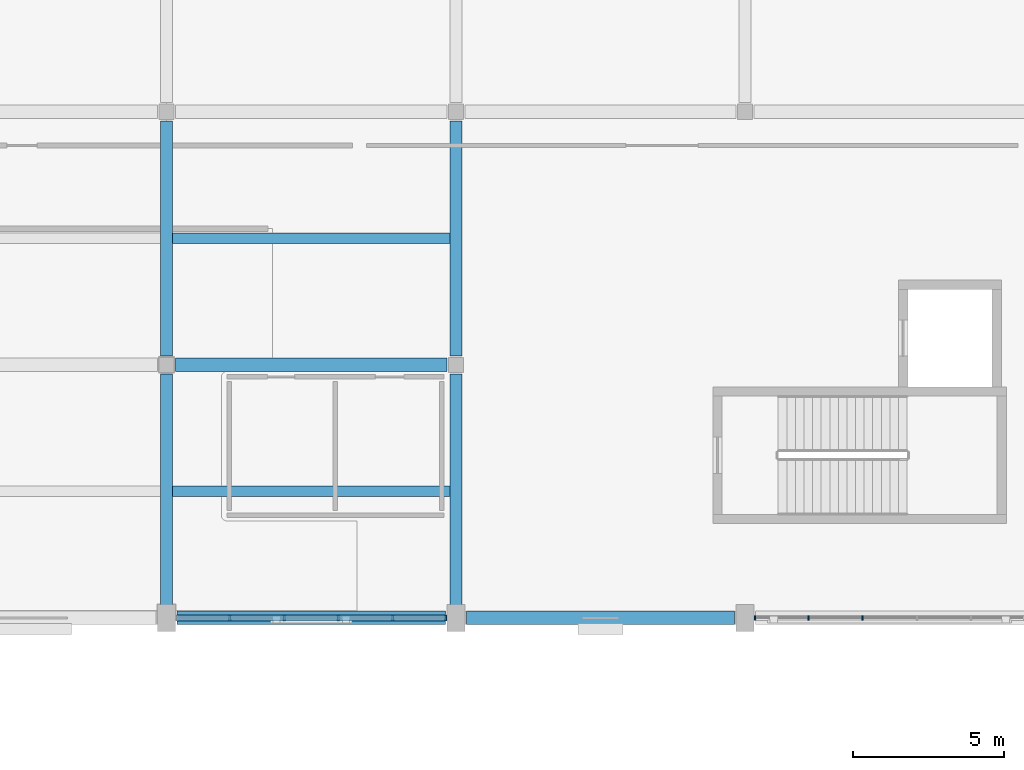
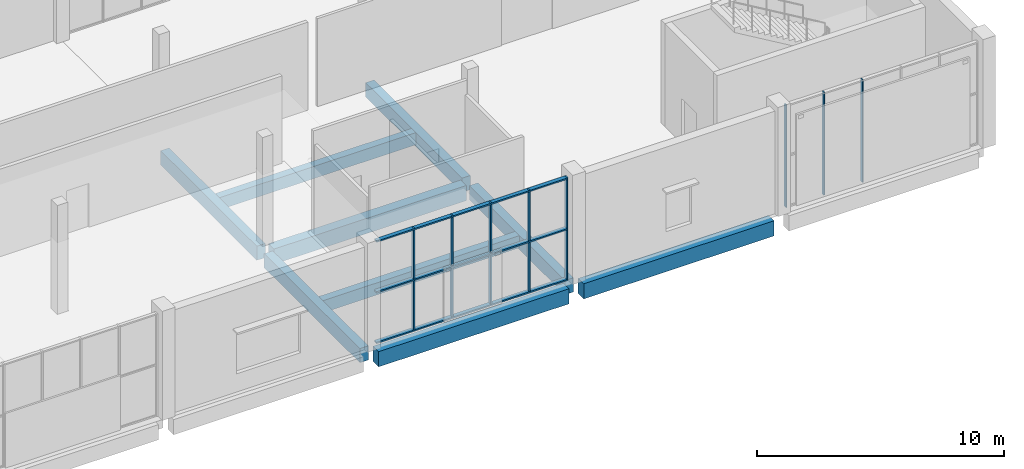
# One storey, part 33 of 83: 11 members, 9 beams, 2 elements without a shape of their own.
"""IFC4 building model written with IfcOpenShell, lengths in metres."""

from ifc_helpers import new_model, si_unit, direction, frame, origin, origin_2d, place, context, subcontext, project, spatial, rectangle, extrude, material, material_profile, profile_set, type_object, element, aggregate, save


model = new_model("IFC4")

# Units and contexts
model_context = context("Model", 3, precision=1e-05, world=origin(), true_north=direction((0.0, 1.0)))
body_context = subcontext(model_context, "Body", "Model", "MODEL_VIEW")
ifc_project = project(units=[si_unit("LENGTHUNIT", "METRE"), si_unit("AREAUNIT", "SQUARE_METRE"), si_unit("VOLUMEUNIT", "CUBIC_METRE"), si_unit("PLANEANGLEUNIT", "RADIAN"), si_unit("MASSUNIT", "GRAM", prefix="KILO")], contexts=[model_context])

# Site, building, storey
site_placement = place(None, origin())
site = spatial("IfcSite", under=ifc_project, at=site_placement, CompositionType="ELEMENT")
building_placement = place(site_placement, origin())
building = spatial("IfcBuilding", under=site, at=building_placement, Name="Shalvenor Court Art Gallery", CompositionType="ELEMENT")
storey_placement = place(building_placement, frame((0.0, 0.0, 6.0)))
storey = spatial("IfcBuildingStorey", under=building, at=storey_placement, Name="L01", CompositionType="ELEMENT", Elevation=6.0)

# Beams
ifc_material_1 = material(Name="Concrete C40/50", Category="concrete")
ifc_material_profile_1 = material_profile(ifc_material_1, rectangle(XDim=0.449951171875, YDim=0.75, at=origin_2d()), Name="RC 450x750")
ifc_profile_set_1 = profile_set([ifc_material_profile_1], Name="Concrete C40/50")
beam_type_1 = type_object("IfcBeamType", Name="B-04", PredefinedType="BEAM", material=ifc_profile_set_1)
beam_1_placement = place(storey_placement, frame((96.35009765625, 97.199951171875, -0.695068359375), z_axis=(1.0, 0.0, 0.0), x_axis=(0.0, 1.0, 0.0)))
element("IfcBeam", 1, at=beam_1_placement, inside=storey, type_object=beam_type_1, Name="L01 Girder BM-L01-B-04-0587", PredefinedType="BEAM", context=body_context, shape_type="SweptSolid", body=[
    extrude(rectangle(XDim=0.449951171875, YDim=0.75, at=origin_2d()), origin(), (0.0, 0.0, 1.0), 8.89990234375),
])
beam_2_placement = place(storey_placement, frame((105.949951171875, 97.199951171875, -0.695068359375), z_axis=(1.0, 0.0, 0.0), x_axis=(0.0, 1.0, 0.0)))
element("IfcBeam", 2, at=beam_2_placement, inside=storey, type_object=beam_type_1, Name="L01 Girder BM-L01-B-04-0588", PredefinedType="BEAM", context=body_context, shape_type="SweptSolid", body=[
    extrude(rectangle(XDim=0.449951171875, YDim=0.75, at=origin_2d()), origin(), (0.0, 0.0, 1.0), 8.900146484375),
])
beam_3_placement = place(storey_placement, frame((96.300048828125, 105.60009765625, -0.695068359375), z_axis=(1.0, 0.0, 0.0), x_axis=(0.0, 1.0, 0.0)))
element("IfcBeam", 3, at=beam_3_placement, inside=storey, type_object=beam_type_1, Name="L01 Girder BM-L01-B-04-0603", PredefinedType="BEAM", context=body_context, shape_type="SweptSolid", body=[
    extrude(rectangle(XDim=0.449951171875, YDim=0.75, at=origin_2d()), origin(), (0.0, 0.0, 1.0), 9.0),
])
ifc_material_2 = material(Name="Concrete C40/50", Category="concrete")
ifc_material_profile_2 = material_profile(ifc_material_2, rectangle(XDim=0.39990234375, YDim=0.699951171875, at=origin_2d()), Name="RC 400x700")
ifc_profile_set_2 = profile_set([ifc_material_profile_2], Name="Concrete C40/50")
beam_type_2 = type_object("IfcBeamType", Name="B-05", PredefinedType="BEAM", material=ifc_profile_set_2)
beam_4_placement = place(storey_placement, frame((96.0, 97.550048828125, -0.669921875), z_axis=(0.0, 1.0, 0.0), x_axis=(-1.0, 0.0, 0.0)))
element("IfcBeam", 4, at=beam_4_placement, inside=storey, type_object=beam_type_2, Name="L01 Girder BM-L01-B-05-0428", PredefinedType="BEAM", context=body_context, shape_type="SweptSolid", body=[
    extrude(rectangle(XDim=0.39990234375, YDim=0.699951171875, at=origin_2d()), origin(), (0.0, 0.0, 1.0), 7.75),
])
beam_5_placement = place(storey_placement, frame((96.0, 105.89990234375, -0.669921875), z_axis=(0.0, 1.0, 0.0), x_axis=(-1.0, 0.0, 0.0)))
element("IfcBeam", 5, at=beam_5_placement, inside=storey, type_object=beam_type_2, Name="L01 Girder BM-L01-B-05-0429", PredefinedType="BEAM", context=body_context, shape_type="SweptSolid", body=[
    extrude(rectangle(XDim=0.39990234375, YDim=0.699951171875, at=origin_2d()), origin(), (0.0, 0.0, 1.0), 7.800048828125),
])
beam_6_placement = place(storey_placement, frame((105.60009765625, 97.550048828125, -0.669921875), z_axis=(0.0, 1.0, 0.0), x_axis=(-1.0, 0.0, 0.0)))
element("IfcBeam", 6, at=beam_6_placement, inside=storey, type_object=beam_type_2, Name="L01 Girder BM-L01-B-05-0437", PredefinedType="BEAM", context=body_context, shape_type="SweptSolid", body=[
    extrude(rectangle(XDim=0.39990234375, YDim=0.699951171875, at=origin_2d()), origin(), (0.0, 0.0, 1.0), 7.75),
])
beam_7_placement = place(storey_placement, frame((105.60009765625, 105.89990234375, -0.669921875), z_axis=(0.0, 1.0, 0.0), x_axis=(-1.0, 0.0, 0.0)))
element("IfcBeam", 7, at=beam_7_placement, inside=storey, type_object=beam_type_2, Name="L01 Girder BM-L01-B-05-0438", PredefinedType="BEAM", context=body_context, shape_type="SweptSolid", body=[
    extrude(rectangle(XDim=0.39990234375, YDim=0.699951171875, at=origin_2d()), origin(), (0.0, 0.0, 1.0), 7.800048828125),
])

# Curtain wall, members
ifc_material_3 = material(Name="Anodised aluminium and low-iron glass curtain wall", Category="aluminium")
curtain_wall_type_1 = type_object("IfcCurtainWallType", Name="CW-5x2-90-51-142", PredefinedType="USERDEFINED", material=ifc_material_3)
curtain_wall_1_placement = place(storey_placement, origin())
curtain_wall_1 = element("IfcCurtainWall", 8, at=curtain_wall_1_placement, inside=storey, type_object=curtain_wall_type_1, Name="L01 V2 Curtain Wall CW-L01-068", ObjectType="CURTAIN WALL", PredefinedType="USERDEFINED")
ifc_material_4 = material(Name="Anodised aluminium mullion", Category="aluminium")
ifc_material_profile_3 = material_profile(ifc_material_4, rectangle(XDim=0.06494140625, YDim=0.179931640625, at=origin_2d()), Name="CWM-01")
ifc_profile_set_3 = profile_set([ifc_material_profile_3], Name="Anodised aluminium mullion")
member_type_1 = type_object("IfcMemberType", Name="CWM-01", PredefinedType="MULLION", material=ifc_profile_set_3)
member_1_placement = place(storey_placement, frame((105.267578125, 97.199951171875, 0.0), z_axis=(0.0, 0.0, 1.0), x_axis=(-1.0, 0.0, 0.0)))
member_1 = element("IfcMember", 9, at=member_1_placement, type_object=member_type_1, Name="CW-5x2-90-51-142 mullion 1", PredefinedType="MULLION", context=body_context, shape_type="SweptSolid", body=[
    extrude(rectangle(XDim=0.06494140625, YDim=0.179931640625, at=origin_2d()), origin(), (0.0, 0.0, 1.0), 5.080078125),
])
member_2_placement = place(storey_placement, frame((103.5, 97.199951171875, 0.0), z_axis=(0.0, 0.0, 1.0), x_axis=(-1.0, 0.0, 0.0)))
member_2 = element("IfcMember", 10, at=member_2_placement, type_object=member_type_1, Name="CW-5x2-90-51-142 mullion 2", PredefinedType="MULLION", context=body_context, shape_type="SweptSolid", body=[
    extrude(rectangle(XDim=0.06494140625, YDim=0.179931640625, at=origin_2d()), origin(), (0.0, 0.0, 1.0), 5.080078125),
])
member_3_placement = place(storey_placement, frame((101.699951171875, 97.199951171875, 0.0), z_axis=(0.0, 0.0, 1.0), x_axis=(-1.0, 0.0, 0.0)))
member_3 = element("IfcMember", 11, at=member_3_placement, type_object=member_type_1, Name="CW-5x2-90-51-142 mullion 3", PredefinedType="MULLION", context=body_context, shape_type="SweptSolid", body=[
    extrude(rectangle(XDim=0.06494140625, YDim=0.179931640625, at=origin_2d()), origin(), (0.0, 0.0, 1.0), 5.080078125),
])
member_4_placement = place(storey_placement, frame((99.89990234375, 97.199951171875, 0.0), z_axis=(0.0, 0.0, 1.0), x_axis=(-1.0, 0.0, 0.0)))
member_4 = element("IfcMember", 12, at=member_4_placement, type_object=member_type_1, Name="CW-5x2-90-51-142 mullion 4", PredefinedType="MULLION", context=body_context, shape_type="SweptSolid", body=[
    extrude(rectangle(XDim=0.06494140625, YDim=0.179931640625, at=origin_2d()), origin(), (0.0, 0.0, 1.0), 5.080078125),
])
member_5_placement = place(storey_placement, frame((98.10009765625, 97.199951171875, 0.0), z_axis=(0.0, 0.0, 1.0), x_axis=(-1.0, 0.0, 0.0)))
member_5 = element("IfcMember", 13, at=member_5_placement, type_object=member_type_1, Name="CW-5x2-90-51-142 mullion 5", PredefinedType="MULLION", context=body_context, shape_type="SweptSolid", body=[
    extrude(rectangle(XDim=0.06494140625, YDim=0.179931640625, at=origin_2d()), origin(), (0.0, 0.0, 1.0), 5.080078125),
])

ifc_material_5 = material(Name="Anodised aluminium and low-iron glass curtain wall", Category="aluminium")
curtain_wall_type_2 = type_object("IfcCurtainWallType", Name="CW-5x2-90-51-622", PredefinedType="USERDEFINED", material=ifc_material_5)
curtain_wall_2_placement = place(storey_placement, origin())
curtain_wall_2 = element("IfcCurtainWall", 14, at=curtain_wall_2_placement, inside=storey, type_object=curtain_wall_type_2, Name="L01 V2 Curtain Wall CW-L01-067", ObjectType="CURTAIN WALL", PredefinedType="USERDEFINED")
ifc_material_6 = material(Name="Anodised aluminium mullion", Category="aluminium")
ifc_material_profile_4 = material_profile(ifc_material_6, rectangle(XDim=0.054931640625, YDim=0.139892578125, at=origin_2d()), Name="CWM-06")
ifc_profile_set_4 = profile_set([ifc_material_profile_4], Name="Anodised aluminium mullion")
member_type_2 = type_object("IfcMemberType", Name="CWM-06", PredefinedType="MULLION", material=ifc_profile_set_4)
member_6_placement = place(storey_placement, frame((119.10009765625, 97.199951171875, 0.0), z_axis=(0.0, 0.0, 1.0), x_axis=(-1.0, 0.0, 0.0)))
member_6 = element("IfcMember", 15, at=member_6_placement, type_object=member_type_2, Name="CW-5x2-90-51-622 mullion 4", PredefinedType="MULLION", context=body_context, shape_type="SweptSolid", body=[
    extrude(rectangle(XDim=0.054931640625, YDim=0.139892578125, at=origin_2d()), origin(), (0.0, 0.0, 1.0), 5.080078125),
])
member_7_placement = place(storey_placement, frame((117.300048828125, 97.199951171875, 0.0), z_axis=(0.0, 0.0, 1.0), x_axis=(-1.0, 0.0, 0.0)))
member_7 = element("IfcMember", 16, at=member_7_placement, type_object=member_type_2, Name="CW-5x2-90-51-622 mullion 5", PredefinedType="MULLION", context=body_context, shape_type="SweptSolid", body=[
    extrude(rectangle(XDim=0.054931640625, YDim=0.139892578125, at=origin_2d()), origin(), (0.0, 0.0, 1.0), 5.080078125),
])
member_8_placement = place(storey_placement, frame((115.527587890625, 97.199951171875, 0.0), z_axis=(0.0, 0.0, 1.0), x_axis=(-1.0, 0.0, 0.0)))
member_8 = element("IfcMember", 17, at=member_8_placement, type_object=member_type_2, Name="CW-5x2-90-51-622 mullion 6", PredefinedType="MULLION", context=body_context, shape_type="SweptSolid", body=[
    extrude(rectangle(XDim=0.054931640625, YDim=0.139892578125, at=origin_2d()), origin(), (0.0, 0.0, 1.0), 5.080078125),
])
aggregate(curtain_wall_2, [member_6, member_7, member_8])

# Member
ifc_material_7 = material(Name="Anodised aluminium transom", Category="aluminium")
ifc_material_profile_5 = material_profile(ifc_material_7, rectangle(XDim=0.18994140625, YDim=0.070068359375, at=origin_2d()), Name="CWT-04")
ifc_profile_set_5 = profile_set([ifc_material_profile_5], Name="Anodised aluminium transom")
member_type_3 = type_object("IfcMemberType", Name="CWT-04", PredefinedType="USERDEFINED", material=ifc_profile_set_5)
member_9_placement = place(storey_placement, frame((105.267578125, 97.199951171875, 0.034912109375), z_axis=(-1.0, 0.0, 0.0), x_axis=(0.0, -1.0, 0.0)))
member_9 = element("IfcMember", 18, at=member_9_placement, type_object=member_type_3, Name="CW-5x2-90-51-142 transom 1", ObjectType="TRANSOM", PredefinedType="USERDEFINED", context=body_context, shape_type="SweptSolid", body=[
    extrude(rectangle(XDim=0.18994140625, YDim=0.070068359375, at=origin_2d()), origin(), (0.0, 0.0, 1.0), 8.93505859375),
])

member_10_placement = place(storey_placement, frame((105.267578125, 97.199951171875, 2.5400390625), z_axis=(-1.0, 0.0, 0.0), x_axis=(0.0, -1.0, 0.0)))
member_10 = element("IfcMember", 19, at=member_10_placement, type_object=member_type_3, Name="CW-5x2-90-51-142 transom 2", ObjectType="TRANSOM", PredefinedType="USERDEFINED", context=body_context, shape_type="SweptSolid", body=[
    extrude(rectangle(XDim=0.18994140625, YDim=0.070068359375, at=origin_2d()), origin(), (0.0, 0.0, 1.0), 8.93505859375),
])

member_11_placement = place(storey_placement, frame((105.267578125, 97.199951171875, 5.044921875), z_axis=(-1.0, 0.0, 0.0), x_axis=(0.0, -1.0, 0.0)))
member_11 = element("IfcMember", 20, at=member_11_placement, type_object=member_type_3, Name="CW-5x2-90-51-142 transom 3", ObjectType="TRANSOM", PredefinedType="USERDEFINED", context=body_context, shape_type="SweptSolid", body=[
    extrude(rectangle(XDim=0.18994140625, YDim=0.070068359375, at=origin_2d()), origin(), (0.0, 0.0, 1.0), 8.93505859375),
])

aggregate(curtain_wall_1, [member_1, member_2, member_3, member_4, member_5, member_9, member_10, member_11])

# Beams
ifc_material_8 = material(Name="Concrete C40/50", Category="concrete")
ifc_material_profile_6 = material_profile(ifc_material_8, rectangle(XDim=0.35009765625, YDim=0.60009765625, at=origin_2d()), Name="RC 350x600")
ifc_profile_set_6 = profile_set([ifc_material_profile_6], Name="Concrete C40/50")
beam_type_3 = type_object("IfcBeamType", Name="J-01", PredefinedType="JOIST", material=ifc_profile_set_6)
for number, where, z_axis, x_axis, name in (
    (21, (96.199951171875, 101.39990234375, -0.6201171875), (1.0, 0.0, 0.0), (0.0, 1.0, 0.0), "L01 Secondary Beam JST-L01-J-01-0661"),
    (22, (96.199951171875, 109.800048828125, -0.6201171875), (1.0, 0.0, 0.0), (0.0, 1.0, 0.0), "L01 Secondary Beam JST-L01-J-01-0662"),
):
    element("IfcBeam", number, at=place(storey_placement, frame(where, z_axis=z_axis, x_axis=x_axis)), inside=storey, type_object=beam_type_3, Name=name, PredefinedType="JOIST", context=body_context, shape_type="SweptSolid", body=[
        extrude(rectangle(XDim=0.35009765625, YDim=0.60009765625, at=origin_2d()), origin(), (0.0, 0.0, 1.0), 9.199951171875),
    ])

save(model, "model.ifc")
